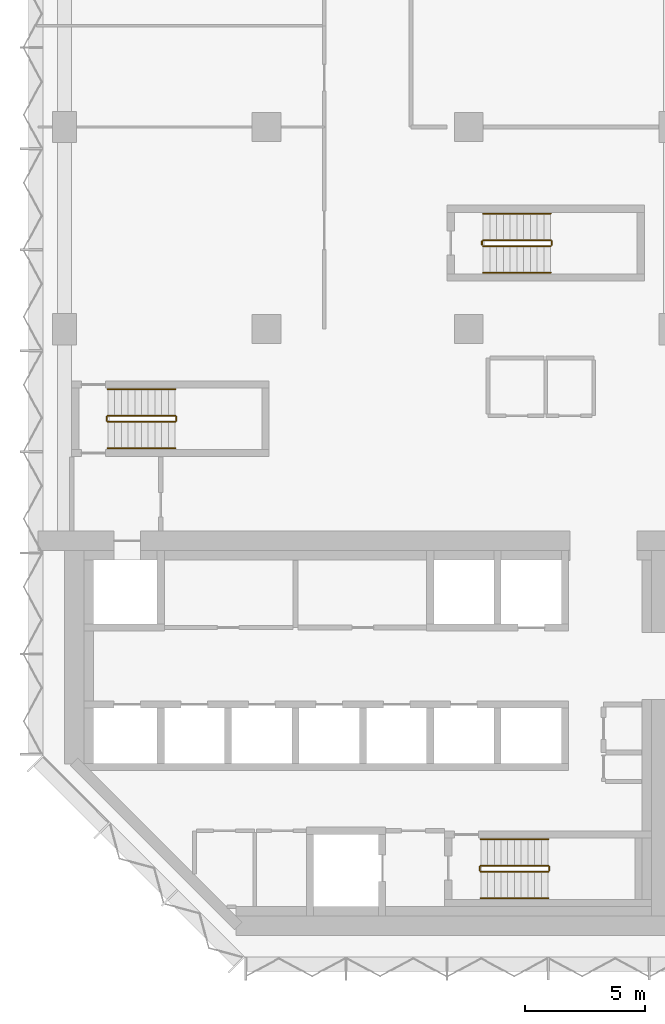
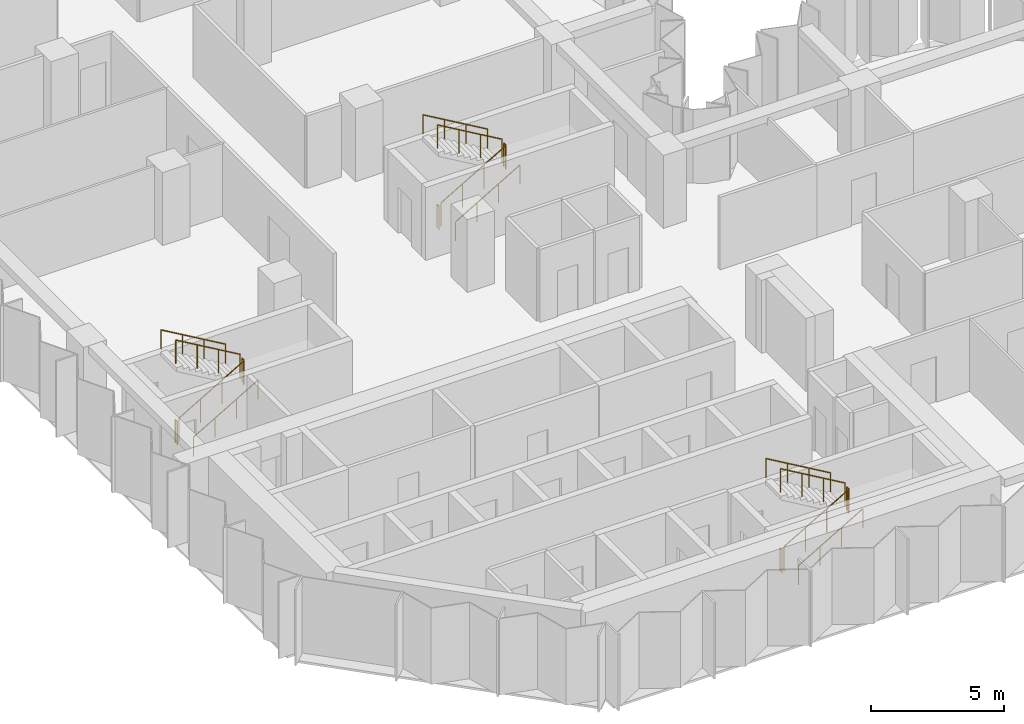
# One storey, part 12 of 13: 18 railings.
"""IFC4 building model written with IfcOpenShell, lengths in metres."""

from ifc_helpers import new_model, si_unit, direction, frame, origin, origin_2d, place, context, subcontext, project, spatial, circle, extrude, material, type_object, element, save


model = new_model("IFC4")

# Units and contexts
model_context = context("Model", 3, precision=1e-05, world=origin(), true_north=direction((0.0, 1.0)))
body_context = subcontext(model_context, "Body", "Model", "MODEL_VIEW")
ifc_project = project(units=[si_unit("LENGTHUNIT", "METRE"), si_unit("AREAUNIT", "SQUARE_METRE"), si_unit("VOLUMEUNIT", "CUBIC_METRE"), si_unit("PLANEANGLEUNIT", "RADIAN"), si_unit("MASSUNIT", "GRAM", prefix="KILO")], contexts=[model_context])

# Site, building, storey
site_placement = place(None, origin())
site = spatial("IfcSite", under=ifc_project, at=site_placement, CompositionType="ELEMENT")
building_placement = place(site_placement, origin())
building = spatial("IfcBuilding", under=site, at=building_placement, Name="Brevane Broadcast Tower", CompositionType="ELEMENT")
storey_placement = place(building_placement, frame((0.0, 0.0, 124.10009765625)))
storey = spatial("IfcBuildingStorey", under=building, at=storey_placement, Name="L30", CompositionType="ELEMENT", Elevation=124.10009765625)

# Railings
ifc_material = material(Name="Steel S355", Category="steel")
railing_type_1 = type_object("IfcRailingType", Name="Exit stair guard", PredefinedType="GUARDRAIL", material=ifc_material)
railing_1_placement = place(storey_placement, frame((1.800048828125, 21.35009765625, 0.16357421875)))
element("IfcRailing", 1, at=railing_1_placement, inside=storey, type_object=railing_type_1, Name="L30 ST-1 stair guard 1", PredefinedType="GUARDRAIL", context=body_context, shape_type="SweptSolid", body=[
    extrude(circle(Radius=0.02392578125, at=origin_2d()), frame((0.0, 0.0, 1.076171875), z_axis=(0.863393664356, 0.0, 0.504530851732), x_axis=(0.0, 1.0, 0.0)), (0.0, 0.0, 1.0), 3.2431640625),
    extrude(circle(Radius=0.02099609375, at=origin_2d()), origin(), (0.0, 0.0, 1.0), 1.052001953125),
    extrude(circle(Radius=0.02099609375, at=origin_2d()), frame((0.933349609375, 0.0, 0.54541015625)), (0.0, 0.0, 1.0), 1.052001953125),
    extrude(circle(Radius=0.02099609375, at=origin_2d()), frame((1.86669921875, 0.0, 1.0908203125)), (0.0, 0.0, 1.0), 1.052001953125),
    extrude(circle(Radius=0.02099609375, at=origin_2d()), frame((2.800048828125, 0.0, 1.63623046875)), (0.0, 0.0, 1.0), 1.052001953125),
])
railing_2_placement = place(storey_placement, frame((4.64990234375, 21.39990234375, 1.7998046875)))
element("IfcRailing", 2, at=railing_2_placement, inside=storey, type_object=railing_type_1, Name="L30 ST-1 stair guard 2", PredefinedType="GUARDRAIL", context=body_context, shape_type="SweptSolid", body=[
    extrude(circle(Radius=0.02392578125, at=origin_2d()), frame((0.0, 0.0, 1.076171875), z_axis=(0.0, 1.0, 0.0), x_axis=(-1.0, 0.0, 0.0)), (0.0, 0.0, 1.0), 0.150146484375),
    extrude(circle(Radius=0.02099609375, at=origin_2d()), origin(), (0.0, 0.0, 1.0), 1.052001953125),
    extrude(circle(Radius=0.02099609375, at=origin_2d()), frame((0.0, 0.150146484375, 0.0)), (0.0, 0.0, 1.0), 1.052001953125),
])
railing_3_placement = place(storey_placement, frame((4.60009765625, 21.60009765625, 1.963623046875)))
element("IfcRailing", 3, at=railing_3_placement, inside=storey, type_object=railing_type_1, Name="L30 ST-1 stair guard 3", PredefinedType="GUARDRAIL", context=body_context, shape_type="SweptSolid", body=[
    extrude(circle(Radius=0.02392578125, at=origin_2d()), frame((0.0, 0.0, 1.076171875), z_axis=(-0.863393664356, 0.0, 0.504530851732), x_axis=(0.0, -1.0, 0.0)), (0.0, 0.0, 1.0), 3.2431640625),
    extrude(circle(Radius=0.02099609375, at=origin_2d()), origin(), (0.0, 0.0, 1.0), 1.052001953125),
    extrude(circle(Radius=0.02099609375, at=origin_2d()), frame((-0.933349609375, 0.0, 0.54541015625)), (0.0, 0.0, 1.0), 1.052001953125),
    extrude(circle(Radius=0.02099609375, at=origin_2d()), frame((-1.86669921875, 0.0, 1.0908203125)), (0.0, 0.0, 1.0), 1.052001953125),
    extrude(circle(Radius=0.02099609375, at=origin_2d()), frame((-2.800048828125, 0.0, 1.63623046875)), (0.0, 0.0, 1.0), 1.052001953125),
])
railing_4_placement = place(storey_placement, frame((1.75, 21.39990234375, 0.0)))
element("IfcRailing", 4, at=railing_4_placement, inside=storey, type_object=railing_type_1, Name="L30 ST-1 stair guard 4", PredefinedType="GUARDRAIL", context=body_context, shape_type="SweptSolid", body=[
    extrude(circle(Radius=0.02392578125, at=origin_2d()), frame((0.0, 0.0, 1.076171875), z_axis=(0.0, 1.0, 0.0), x_axis=(-1.0, 0.0, 0.0)), (0.0, 0.0, 1.0), 0.150146484375),
    extrude(circle(Radius=0.02099609375, at=origin_2d()), origin(), (0.0, 0.0, 1.0), 1.052001953125),
    extrude(circle(Radius=0.02099609375, at=origin_2d()), frame((0.0, 0.150146484375, 0.0)), (0.0, 0.0, 1.0), 1.052001953125),
])
railing_5_placement = place(storey_placement, frame((17.300048828125, 2.64990234375, 0.16357421875)))
element("IfcRailing", 5, at=railing_5_placement, inside=storey, type_object=railing_type_1, Name="L30 ST-2 stair guard 1", PredefinedType="GUARDRAIL", context=body_context, shape_type="SweptSolid", body=[
    extrude(circle(Radius=0.02392578125, at=origin_2d()), frame((0.0, 0.0, 1.076171875), z_axis=(0.863393664356, 0.0, 0.504530851732), x_axis=(0.0, 1.0, 0.0)), (0.0, 0.0, 1.0), 3.2431640625),
    extrude(circle(Radius=0.02099609375, at=origin_2d()), origin(), (0.0, 0.0, 1.0), 1.052001953125),
    extrude(circle(Radius=0.02099609375, at=origin_2d()), frame((0.933349609375, 0.0, 0.54541015625)), (0.0, 0.0, 1.0), 1.052001953125),
    extrude(circle(Radius=0.02099609375, at=origin_2d()), frame((1.86669921875, 0.0, 1.0908203125)), (0.0, 0.0, 1.0), 1.052001953125),
    extrude(circle(Radius=0.02099609375, at=origin_2d()), frame((2.800048828125, 0.0, 1.63623046875)), (0.0, 0.0, 1.0), 1.052001953125),
])
railing_6_placement = place(storey_placement, frame((20.14990234375, 2.699951171875, 1.7998046875)))
element("IfcRailing", 6, at=railing_6_placement, inside=storey, type_object=railing_type_1, Name="L30 ST-2 stair guard 2", PredefinedType="GUARDRAIL", context=body_context, shape_type="SweptSolid", body=[
    extrude(circle(Radius=0.02392578125, at=origin_2d()), frame((0.0, 0.0, 1.076171875), z_axis=(0.0, 1.0, 0.0), x_axis=(-1.0, 0.0, 0.0)), (0.0, 0.0, 1.0), 0.150146484375),
    extrude(circle(Radius=0.02099609375, at=origin_2d()), origin(), (0.0, 0.0, 1.0), 1.052001953125),
    extrude(circle(Radius=0.02099609375, at=origin_2d()), frame((0.0, 0.150146484375, 0.0)), (0.0, 0.0, 1.0), 1.052001953125),
])
railing_7_placement = place(storey_placement, frame((20.10009765625, 2.89990234375, 1.963623046875)))
element("IfcRailing", 7, at=railing_7_placement, inside=storey, type_object=railing_type_1, Name="L30 ST-2 stair guard 3", PredefinedType="GUARDRAIL", context=body_context, shape_type="SweptSolid", body=[
    extrude(circle(Radius=0.02392578125, at=origin_2d()), frame((0.0, 0.0, 1.076171875), z_axis=(-0.863393664356, 0.0, 0.504530851732), x_axis=(0.0, -1.0, 0.0)), (0.0, 0.0, 1.0), 3.2431640625),
    extrude(circle(Radius=0.02099609375, at=origin_2d()), origin(), (0.0, 0.0, 1.0), 1.052001953125),
    extrude(circle(Radius=0.02099609375, at=origin_2d()), frame((-0.933349609375, 0.0, 0.54541015625)), (0.0, 0.0, 1.0), 1.052001953125),
    extrude(circle(Radius=0.02099609375, at=origin_2d()), frame((-1.86669921875, 0.0, 1.0908203125)), (0.0, 0.0, 1.0), 1.052001953125),
    extrude(circle(Radius=0.02099609375, at=origin_2d()), frame((-2.800048828125, 0.0, 1.63623046875)), (0.0, 0.0, 1.0), 1.052001953125),
])
railing_8_placement = place(storey_placement, frame((17.25, 2.699951171875, 0.0)))
element("IfcRailing", 8, at=railing_8_placement, inside=storey, type_object=railing_type_1, Name="L30 ST-2 stair guard 4", PredefinedType="GUARDRAIL", context=body_context, shape_type="SweptSolid", body=[
    extrude(circle(Radius=0.02392578125, at=origin_2d()), frame((0.0, 0.0, 1.076171875), z_axis=(0.0, 1.0, 0.0), x_axis=(-1.0, 0.0, 0.0)), (0.0, 0.0, 1.0), 0.150146484375),
    extrude(circle(Radius=0.02099609375, at=origin_2d()), origin(), (0.0, 0.0, 1.0), 1.052001953125),
    extrude(circle(Radius=0.02099609375, at=origin_2d()), frame((0.0, 0.150146484375, 0.0)), (0.0, 0.0, 1.0), 1.052001953125),
])
railing_9_placement = place(storey_placement, frame((17.39990234375, 28.64990234375, 0.16357421875)))
element("IfcRailing", 9, at=railing_9_placement, inside=storey, type_object=railing_type_1, Name="L30 ST-3 stair guard 1", PredefinedType="GUARDRAIL", context=body_context, shape_type="SweptSolid", body=[
    extrude(circle(Radius=0.02392578125, at=origin_2d()), frame((0.0, 0.0, 1.076171875), z_axis=(0.863393664356, 0.0, 0.504530851732), x_axis=(0.0, 1.0, 0.0)), (0.0, 0.0, 1.0), 3.2431640625),
    extrude(circle(Radius=0.02099609375, at=origin_2d()), origin(), (0.0, 0.0, 1.0), 1.052001953125),
    extrude(circle(Radius=0.02099609375, at=origin_2d()), frame((0.933349609375, 0.0, 0.54541015625)), (0.0, 0.0, 1.0), 1.052001953125),
    extrude(circle(Radius=0.02099609375, at=origin_2d()), frame((1.86669921875, 0.0, 1.0908203125)), (0.0, 0.0, 1.0), 1.052001953125),
    extrude(circle(Radius=0.02099609375, at=origin_2d()), frame((2.800048828125, 0.0, 1.63623046875)), (0.0, 0.0, 1.0), 1.052001953125),
])
railing_10_placement = place(storey_placement, frame((20.25, 28.699951171875, 1.7998046875)))
element("IfcRailing", 10, at=railing_10_placement, inside=storey, type_object=railing_type_1, Name="L30 ST-3 stair guard 2", PredefinedType="GUARDRAIL", context=body_context, shape_type="SweptSolid", body=[
    extrude(circle(Radius=0.02392578125, at=origin_2d()), frame((0.0, 0.0, 1.076171875), z_axis=(0.0, 1.0, 0.0), x_axis=(-1.0, 0.0, 0.0)), (0.0, 0.0, 1.0), 0.150146484375),
    extrude(circle(Radius=0.02099609375, at=origin_2d()), origin(), (0.0, 0.0, 1.0), 1.052001953125),
    extrude(circle(Radius=0.02099609375, at=origin_2d()), frame((0.0, 0.150146484375, 0.0)), (0.0, 0.0, 1.0), 1.052001953125),
])
railing_11_placement = place(storey_placement, frame((20.199951171875, 28.89990234375, 1.963623046875)))
element("IfcRailing", 11, at=railing_11_placement, inside=storey, type_object=railing_type_1, Name="L30 ST-3 stair guard 3", PredefinedType="GUARDRAIL", context=body_context, shape_type="SweptSolid", body=[
    extrude(circle(Radius=0.02392578125, at=origin_2d()), frame((0.0, 0.0, 1.076171875), z_axis=(-0.863393664356, 0.0, 0.504530851732), x_axis=(0.0, -1.0, 0.0)), (0.0, 0.0, 1.0), 3.2431640625),
    extrude(circle(Radius=0.02099609375, at=origin_2d()), origin(), (0.0, 0.0, 1.0), 1.052001953125),
    extrude(circle(Radius=0.02099609375, at=origin_2d()), frame((-0.933349609375, 0.0, 0.54541015625)), (0.0, 0.0, 1.0), 1.052001953125),
    extrude(circle(Radius=0.02099609375, at=origin_2d()), frame((-1.86669921875, 0.0, 1.0908203125)), (0.0, 0.0, 1.0), 1.052001953125),
    extrude(circle(Radius=0.02099609375, at=origin_2d()), frame((-2.800048828125, 0.0, 1.63623046875)), (0.0, 0.0, 1.0), 1.052001953125),
])
railing_12_placement = place(storey_placement, frame((17.35009765625, 28.699951171875, 0.0)))
element("IfcRailing", 12, at=railing_12_placement, inside=storey, type_object=railing_type_1, Name="L30 ST-3 stair guard 4", PredefinedType="GUARDRAIL", context=body_context, shape_type="SweptSolid", body=[
    extrude(circle(Radius=0.02392578125, at=origin_2d()), frame((0.0, 0.0, 1.076171875), z_axis=(0.0, 1.0, 0.0), x_axis=(-1.0, 0.0, 0.0)), (0.0, 0.0, 1.0), 0.150146484375),
    extrude(circle(Radius=0.02099609375, at=origin_2d()), origin(), (0.0, 0.0, 1.0), 1.052001953125),
    extrude(circle(Radius=0.02099609375, at=origin_2d()), frame((0.0, 0.150146484375, 0.0)), (0.0, 0.0, 1.0), 1.052001953125),
])
railing_type_2 = type_object("IfcRailingType", Name="Exit stair handrail", PredefinedType="HANDRAIL", material=ifc_material)
railing_13_placement = place(storey_placement, frame((1.800048828125, 20.25, 0.16357421875)))
element("IfcRailing", 13, at=railing_13_placement, inside=storey, type_object=railing_type_2, Name="L30 ST-1 stair handrail 1", PredefinedType="HANDRAIL", context=body_context, shape_type="SweptSolid", body=[
    extrude(circle(Radius=0.02392578125, at=origin_2d()), frame((0.0, 0.0, 0.8759765625), z_axis=(0.863393664356, 0.0, 0.504530851732), x_axis=(0.0, 1.0, 0.0)), (0.0, 0.0, 1.0), 3.2431640625),
    extrude(circle(Radius=0.02099609375, at=origin_2d()), origin(), (0.0, 0.0, 1.0), 0.851806640625),
    extrude(circle(Radius=0.02099609375, at=origin_2d()), frame((0.933349609375, 0.0, 0.54541015625)), (0.0, 0.0, 1.0), 0.851806640625),
    extrude(circle(Radius=0.02099609375, at=origin_2d()), frame((1.86669921875, 0.0, 1.0908203125)), (0.0, 0.0, 1.0), 0.851806640625),
    extrude(circle(Radius=0.02099609375, at=origin_2d()), frame((2.800048828125, 0.0, 1.63623046875)), (0.0, 0.0, 1.0), 0.851806640625),
])
railing_14_placement = place(storey_placement, frame((4.60009765625, 22.699951171875, 1.963623046875)))
element("IfcRailing", 14, at=railing_14_placement, inside=storey, type_object=railing_type_2, Name="L30 ST-1 stair handrail 2", PredefinedType="HANDRAIL", context=body_context, shape_type="SweptSolid", body=[
    extrude(circle(Radius=0.02392578125, at=origin_2d()), frame((0.0, 0.0, 0.8759765625), z_axis=(-0.863393664356, 0.0, 0.504530851732), x_axis=(0.0, -1.0, 0.0)), (0.0, 0.0, 1.0), 3.2431640625),
    extrude(circle(Radius=0.02099609375, at=origin_2d()), origin(), (0.0, 0.0, 1.0), 0.851806640625),
    extrude(circle(Radius=0.02099609375, at=origin_2d()), frame((-0.933349609375, 0.0, 0.54541015625)), (0.0, 0.0, 1.0), 0.851806640625),
    extrude(circle(Radius=0.02099609375, at=origin_2d()), frame((-1.86669921875, 0.0, 1.0908203125)), (0.0, 0.0, 1.0), 0.851806640625),
    extrude(circle(Radius=0.02099609375, at=origin_2d()), frame((-2.800048828125, 0.0, 1.63623046875)), (0.0, 0.0, 1.0), 0.851806640625),
])
railing_15_placement = place(storey_placement, frame((17.300048828125, 1.550048828125, 0.16357421875)))
element("IfcRailing", 15, at=railing_15_placement, inside=storey, type_object=railing_type_2, Name="L30 ST-2 stair handrail 1", PredefinedType="HANDRAIL", context=body_context, shape_type="SweptSolid", body=[
    extrude(circle(Radius=0.02392578125, at=origin_2d()), frame((0.0, 0.0, 0.8759765625), z_axis=(0.863393664356, 0.0, 0.504530851732), x_axis=(0.0, 1.0, 0.0)), (0.0, 0.0, 1.0), 3.2431640625),
    extrude(circle(Radius=0.02099609375, at=origin_2d()), origin(), (0.0, 0.0, 1.0), 0.851806640625),
    extrude(circle(Radius=0.02099609375, at=origin_2d()), frame((0.933349609375, 0.0, 0.54541015625)), (0.0, 0.0, 1.0), 0.851806640625),
    extrude(circle(Radius=0.02099609375, at=origin_2d()), frame((1.86669921875, 0.0, 1.0908203125)), (0.0, 0.0, 1.0), 0.851806640625),
    extrude(circle(Radius=0.02099609375, at=origin_2d()), frame((2.800048828125, 0.0, 1.63623046875)), (0.0, 0.0, 1.0), 0.851806640625),
])
railing_16_placement = place(storey_placement, frame((20.10009765625, 4.0, 1.963623046875)))
element("IfcRailing", 16, at=railing_16_placement, inside=storey, type_object=railing_type_2, Name="L30 ST-2 stair handrail 2", PredefinedType="HANDRAIL", context=body_context, shape_type="SweptSolid", body=[
    extrude(circle(Radius=0.02392578125, at=origin_2d()), frame((0.0, 0.0, 0.8759765625), z_axis=(-0.863393664356, 0.0, 0.504530851732), x_axis=(0.0, -1.0, 0.0)), (0.0, 0.0, 1.0), 3.2431640625),
    extrude(circle(Radius=0.02099609375, at=origin_2d()), origin(), (0.0, 0.0, 1.0), 0.851806640625),
    extrude(circle(Radius=0.02099609375, at=origin_2d()), frame((-0.933349609375, 0.0, 0.54541015625)), (0.0, 0.0, 1.0), 0.851806640625),
    extrude(circle(Radius=0.02099609375, at=origin_2d()), frame((-1.86669921875, 0.0, 1.0908203125)), (0.0, 0.0, 1.0), 0.851806640625),
    extrude(circle(Radius=0.02099609375, at=origin_2d()), frame((-2.800048828125, 0.0, 1.63623046875)), (0.0, 0.0, 1.0), 0.851806640625),
])
railing_17_placement = place(storey_placement, frame((17.39990234375, 27.550048828125, 0.16357421875)))
element("IfcRailing", 17, at=railing_17_placement, inside=storey, type_object=railing_type_2, Name="L30 ST-3 stair handrail 1", PredefinedType="HANDRAIL", context=body_context, shape_type="SweptSolid", body=[
    extrude(circle(Radius=0.02392578125, at=origin_2d()), frame((0.0, 0.0, 0.8759765625), z_axis=(0.863393664356, 0.0, 0.504530851732), x_axis=(0.0, 1.0, 0.0)), (0.0, 0.0, 1.0), 3.2431640625),
    extrude(circle(Radius=0.02099609375, at=origin_2d()), origin(), (0.0, 0.0, 1.0), 0.851806640625),
    extrude(circle(Radius=0.02099609375, at=origin_2d()), frame((0.933349609375, 0.0, 0.54541015625)), (0.0, 0.0, 1.0), 0.851806640625),
    extrude(circle(Radius=0.02099609375, at=origin_2d()), frame((1.86669921875, 0.0, 1.0908203125)), (0.0, 0.0, 1.0), 0.851806640625),
    extrude(circle(Radius=0.02099609375, at=origin_2d()), frame((2.800048828125, 0.0, 1.63623046875)), (0.0, 0.0, 1.0), 0.851806640625),
])
railing_18_placement = place(storey_placement, frame((20.199951171875, 30.0, 1.963623046875)))
element("IfcRailing", 18, at=railing_18_placement, inside=storey, type_object=railing_type_2, Name="L30 ST-3 stair handrail 2", PredefinedType="HANDRAIL", context=body_context, shape_type="SweptSolid", body=[
    extrude(circle(Radius=0.02392578125, at=origin_2d()), frame((0.0, 0.0, 0.8759765625), z_axis=(-0.863393664356, 0.0, 0.504530851732), x_axis=(0.0, -1.0, 0.0)), (0.0, 0.0, 1.0), 3.2431640625),
    extrude(circle(Radius=0.02099609375, at=origin_2d()), origin(), (0.0, 0.0, 1.0), 0.851806640625),
    extrude(circle(Radius=0.02099609375, at=origin_2d()), frame((-0.933349609375, 0.0, 0.54541015625)), (0.0, 0.0, 1.0), 0.851806640625),
    extrude(circle(Radius=0.02099609375, at=origin_2d()), frame((-1.86669921875, 0.0, 1.0908203125)), (0.0, 0.0, 1.0), 0.851806640625),
    extrude(circle(Radius=0.02099609375, at=origin_2d()), frame((-2.800048828125, 0.0, 1.63623046875)), (0.0, 0.0, 1.0), 0.851806640625),
])

save(model, "model.ifc")
